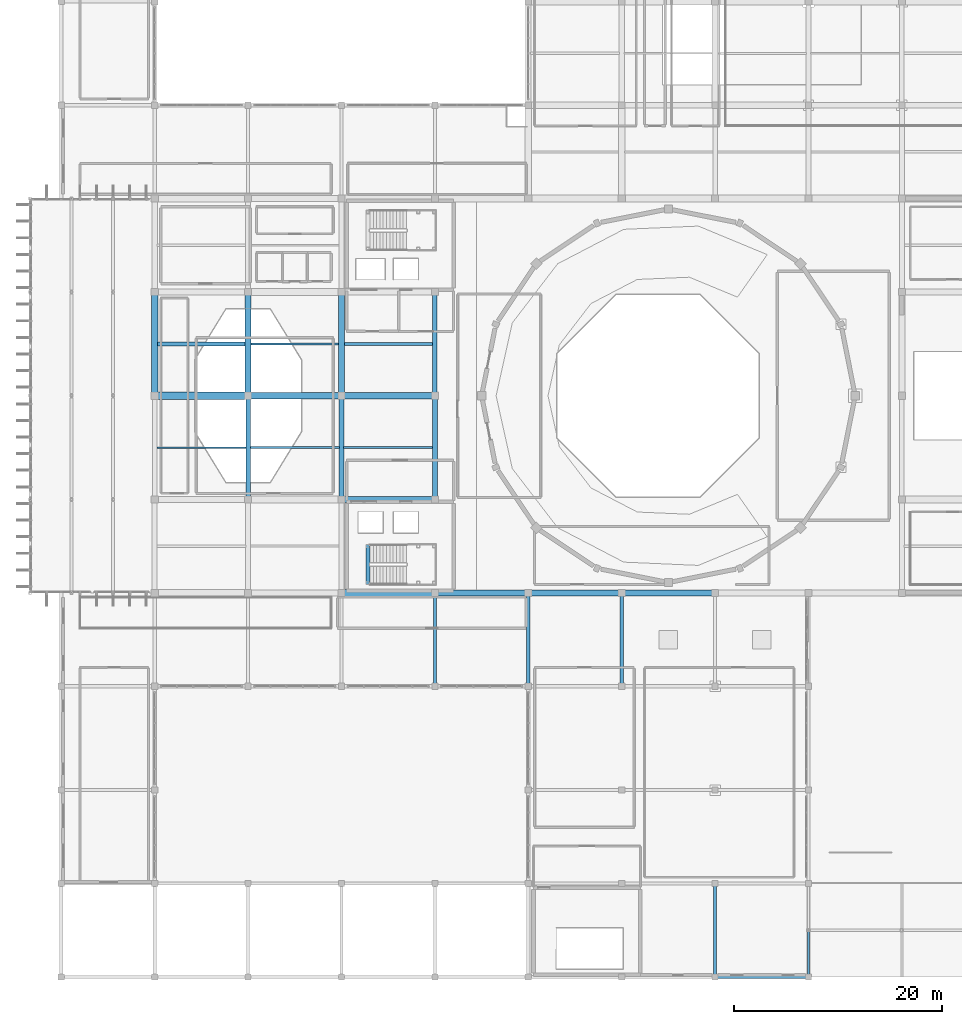
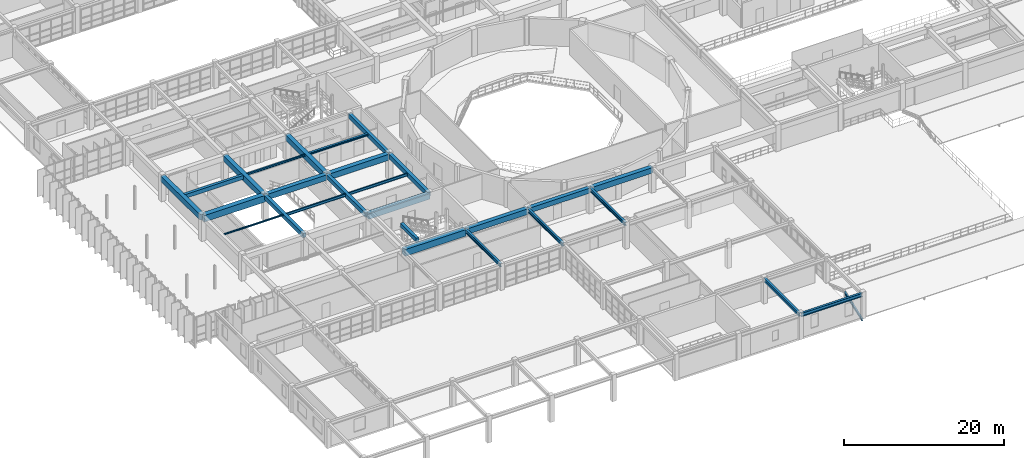
# One storey, part 33 of 110: 27 beams, 1 member.
"""IFC4 building model written with IfcOpenShell, lengths in metres."""

from ifc_helpers import new_model, si_unit, direction, frame, origin, origin_2d, place, context, subcontext, project, spatial, rectangle, i_section, extrude, material, material_profile, profile_set, type_object, element, save


model = new_model("IFC4")

# Units and contexts
model_context = context("Model", 3, precision=1e-05, world=origin(), true_north=direction((0.0, 1.0)))
body_context = subcontext(model_context, "Body", "Model", "MODEL_VIEW")
ifc_project = project(units=[si_unit("LENGTHUNIT", "METRE"), si_unit("AREAUNIT", "SQUARE_METRE"), si_unit("VOLUMEUNIT", "CUBIC_METRE"), si_unit("PLANEANGLEUNIT", "RADIAN"), si_unit("MASSUNIT", "GRAM", prefix="KILO")], contexts=[model_context])

# Site, building, storey
site_placement = place(None, origin())
site = spatial("IfcSite", under=ifc_project, at=site_placement, CompositionType="ELEMENT")
building_placement = place(site_placement, origin())
building = spatial("IfcBuilding", under=site, at=building_placement, Name="Miravela Opera House", CompositionType="ELEMENT")
storey_placement = place(building_placement, frame((0.0, 0.0, 13.60009765625)))
storey = spatial("IfcBuildingStorey", under=building, at=storey_placement, Name="L03", CompositionType="ELEMENT", Elevation=13.60009765625)

# Beams
ifc_material_1 = material(Name="Concrete C35/45", Category="concrete")
ifc_material_profile_1 = material_profile(ifc_material_1, rectangle(XDim=0.39990234375, YDim=0.60009765625, at=origin_2d()), Name="RC-BM-400X600")
ifc_profile_set_1 = profile_set([ifc_material_profile_1])
beam_type_1 = type_object("IfcBeamType", Name="STR-BM-RC400X600", PredefinedType="JOIST", material=ifc_profile_set_1)
beam_1_placement = place(storey_placement, frame((27.284912109375, 61.0, 3.539794921875), z_axis=(1.0, 0.0, 0.0), x_axis=(0.0, 1.0, 0.0)))
element("IfcBeam", 1, at=beam_1_placement, inside=storey, type_object=beam_type_1, Name="Secondary Floor Joist L03 4-5/G-H", PredefinedType="JOIST", context=body_context, shape_type="SweptSolid", body=[
    extrude(rectangle(XDim=0.39990234375, YDim=0.60009765625, at=origin_2d()), origin(), (0.0, 0.0, 1.0), 8.43017578125),
])
beam_2_placement = place(storey_placement, frame((47.5400390625, 37.800048828125, 3.77978515625), z_axis=(0.0, 1.0, 0.0), x_axis=(-1.0, 0.0, 0.0)))
element("IfcBeam", 2, at=beam_2_placement, inside=storey, type_object=beam_type_1, Name="Stair K2 Opening Header Trimmer Beam 04", PredefinedType="JOIST", context=body_context, shape_type="SweptSolid", body=[
    extrude(rectangle(XDim=0.39990234375, YDim=0.60009765625, at=origin_2d()), origin(), (0.0, 0.0, 1.0), 3.8798828125),
])
ifc_material_profile_2 = material_profile(ifc_material_1, rectangle(XDim=0.449951171875, YDim=0.64990234375, at=origin_2d()), Name="RC-BM-450X650")
ifc_profile_set_2 = profile_set([ifc_material_profile_2])
beam_type_2 = type_object("IfcBeamType", Name="STR-BM-RC450X650", PredefinedType="BEAM", material=ifc_profile_set_2)
for number, where, z_axis, x_axis, name in (
    (3, (36.0, 46.080078125, 3.514892578125), (0.0, 1.0, 0.0), (-1.0, 0.0, 0.0), "Floor Girder L03 5/F-G"),
    (4, (45.0, 46.080078125, 3.514892578125), (0.0, 1.0, 0.0), (-1.0, 0.0, 0.0), "Floor Girder L03 6/F-G"),
    (5, (54.0, 56.080078125, 3.514892578125), (0.0, 1.0, 0.0), (-1.0, 0.0, 0.0), "Floor Girder L03 7/G-H"),
):
    element("IfcBeam", number, at=place(storey_placement, frame(where, z_axis=z_axis, x_axis=x_axis)), inside=storey, type_object=beam_type_2, Name=name, PredefinedType="BEAM", context=body_context, shape_type="SweptSolid", body=[
        extrude(rectangle(XDim=0.449951171875, YDim=0.64990234375, at=origin_2d()), origin(), (0.0, 0.0, 1.0), 9.83984375),
    ])
ifc_material_profile_3 = material_profile(ifc_material_1, rectangle(XDim=0.47998046875, YDim=0.679931640625, at=origin_2d()), Name="RC-BM-480X680")
ifc_profile_set_3 = profile_set([ifc_material_profile_3])
beam_type_3 = type_object("IfcBeamType", Name="STR-BM-RC480X680", PredefinedType="BEAM", material=ifc_profile_set_3)
beam_3_placement = place(storey_placement, frame((54.0, 46.080078125, 3.5), z_axis=(0.0, 1.0, 0.0), x_axis=(-1.0, 0.0, 0.0)))
element("IfcBeam", 6, at=beam_3_placement, inside=storey, type_object=beam_type_3, Name="Floor Girder L03 7/F-G", PredefinedType="BEAM", context=body_context, shape_type="SweptSolid", body=[
    extrude(rectangle(XDim=0.47998046875, YDim=0.679931640625, at=origin_2d()), origin(), (0.0, 0.0, 1.0), 9.83984375),
])
ifc_material_profile_4 = material_profile(ifc_material_1, rectangle(XDim=0.550048828125, YDim=0.75, at=origin_2d()), Name="RC-BM-550X750")
ifc_profile_set_4 = profile_set([ifc_material_profile_4])
beam_type_4 = type_object("IfcBeamType", Name="STR-BM-RC550X750", PredefinedType="BEAM", material=ifc_profile_set_4)
beam_4_placement = place(storey_placement, frame((63.080078125, 37.0, 3.46484375), z_axis=(1.0, 0.0, 0.0), x_axis=(0.0, 1.0, 0.0)))
element("IfcBeam", 7, at=beam_4_placement, inside=storey, type_object=beam_type_4, Name="Floor Girder L03 8-9/E", PredefinedType="BEAM", context=body_context, shape_type="SweptSolid", body=[
    extrude(rectangle(XDim=0.550048828125, YDim=0.75, at=origin_2d()), origin(), (0.0, 0.0, 1.0), 8.83984375),
])
ifc_material_2 = material(Name="Concrete C40/50", Category="concrete")
ifc_material_profile_5 = material_profile(ifc_material_2, rectangle(XDim=0.60009765625, YDim=0.85009765625, at=origin_2d()), Name="RC-BM-600X850")
ifc_profile_set_5 = profile_set([ifc_material_profile_5])
beam_type_5 = type_object("IfcBeamType", Name="STR-BM-RC600X850", PredefinedType="BEAM", material=ifc_profile_set_5)
for number, where, z_axis, x_axis, name in (
    (8, (36.080078125, 56.0, 3.414794921875), (1.0, 0.0, 0.0), (0.0, 1.0, 0.0), "Floor Girder L03 5-6/G"),
    (9, (45.080078125, 46.0, 3.414794921875), (1.0, 0.0, 0.0), (0.0, 1.0, 0.0), "Floor Girder L03 6-7/F"),
    (10, (54.080078125, 37.0, 3.414794921875), (1.0, 0.0, 0.0), (0.0, 1.0, 0.0), "Floor Girder L03 7-8/E"),
    (11, (72.080078125, 37.0, 3.414794921875), (1.0, 0.0, 0.0), (0.0, 1.0, 0.0), "Floor Girder L03 9-10/E"),
):
    element("IfcBeam", number, at=place(storey_placement, frame(where, z_axis=z_axis, x_axis=x_axis)), inside=storey, type_object=beam_type_5, Name=name, PredefinedType="BEAM", context=body_context, shape_type="SweptSolid", body=[
        extrude(rectangle(XDim=0.60009765625, YDim=0.85009765625, at=origin_2d()), origin(), (0.0, 0.0, 1.0), 8.83984375),
    ])
for number, where, z_axis, x_axis, name in (
    (12, (27.0, 56.080078125, 3.414794921875), (0.0, 1.0, 0.0), (-1.0, 0.0, 0.0), "Floor Girder L03 4/G-H"),
    (13, (36.0, 56.080078125, 3.414794921875), (0.0, 1.0, 0.0), (-1.0, 0.0, 0.0), "Floor Girder L03 5/G-H"),
    (14, (45.0, 56.080078125, 3.414794921875), (0.0, 1.0, 0.0), (-1.0, 0.0, 0.0), "Floor Girder L03 6/G-H"),
):
    element("IfcBeam", number, at=place(storey_placement, frame(where, z_axis=z_axis, x_axis=x_axis)), inside=storey, type_object=beam_type_5, Name=name, PredefinedType="BEAM", context=body_context, shape_type="SweptSolid", body=[
        extrude(rectangle(XDim=0.60009765625, YDim=0.85009765625, at=origin_2d()), origin(), (0.0, 0.0, 1.0), 9.83984375),
    ])
ifc_material_profile_6 = material_profile(ifc_material_2, rectangle(XDim=0.64990234375, YDim=0.89990234375, at=origin_2d()), Name="RC-BM-650X900")
ifc_profile_set_6 = profile_set([ifc_material_profile_6])
beam_type_6 = type_object("IfcBeamType", Name="STR-BM-RC650X900", PredefinedType="BEAM", material=ifc_profile_set_6)
beam_5_placement = place(storey_placement, frame((45.080078125, 56.0, 3.389892578125), z_axis=(1.0, 0.0, 0.0), x_axis=(0.0, 1.0, 0.0)))
element("IfcBeam", 15, at=beam_5_placement, inside=storey, type_object=beam_type_6, Name="Floor Girder L03 6-7/G", PredefinedType="BEAM", context=body_context, shape_type="SweptSolid", body=[
    extrude(rectangle(XDim=0.64990234375, YDim=0.89990234375, at=origin_2d()), origin(), (0.0, 0.0, 1.0), 8.83984375),
])
ifc_material_profile_7 = material_profile(ifc_material_2, rectangle(XDim=0.699951171875, YDim=1.0, at=origin_2d()), Name="RC-BM-700X1000")
ifc_profile_set_7 = profile_set([ifc_material_profile_7])
beam_type_7 = type_object("IfcBeamType", Name="STR-BM-RC700X1000", PredefinedType="BEAM", material=ifc_profile_set_7)
for number, where, z_axis, x_axis, name in (
    (16, (27.080078125, 56.0, 3.33984375), (1.0, 0.0, 0.0), (0.0, 1.0, 0.0), "Floor Girder L03 4-5/G"),
    (17, (45.080078125, 37.0, 3.33984375), (1.0, 0.0, 0.0), (0.0, 1.0, 0.0), "Floor Girder L03 6-7/E"),
):
    element("IfcBeam", number, at=place(storey_placement, frame(where, z_axis=z_axis, x_axis=x_axis)), inside=storey, type_object=beam_type_7, Name=name, PredefinedType="BEAM", context=body_context, shape_type="SweptSolid", body=[
        extrude(rectangle(XDim=0.699951171875, YDim=1.0, at=origin_2d()), origin(), (0.0, 0.0, 1.0), 8.83984375),
    ])
ifc_material_3 = material(Name="Structural steel ASTM A992 Gr. 50", Category="steel")
ifc_material_profile_8 = material_profile(ifc_material_3, i_section(OverallWidth=0.1650390625, OverallDepth=0.200927734375, WebThickness=0.006103515625, FlangeThickness=0.01025390625, FilletRadius=0.010009765625, at=origin_2d()), Name="W200X36")
ifc_profile_set_8 = profile_set([ifc_material_profile_8])
beam_type_8 = type_object("IfcBeamType", Name="STR-BM-W200X36", PredefinedType="LINTEL", material=ifc_profile_set_8)
beam_6_placement = place(storey_placement, frame((27.2099609375, 51.0, 3.739501953125), z_axis=(1.0, 0.0, 0.0), x_axis=(0.0, 1.0, 0.0)))
element("IfcBeam", 18, at=beam_6_placement, inside=storey, type_object=beam_type_8, Name="Secondary Floor Joist L03 4-5/F-G", PredefinedType="LINTEL", context=body_context, shape_type="SweptSolid", body=[
    extrude(i_section(OverallWidth=0.1650390625, OverallDepth=0.200927734375, WebThickness=0.006103515625, FlangeThickness=0.01025390625, FilletRadius=0.010009765625, at=origin_2d()), origin(), (0.0, 0.0, 1.0), 8.580078125),
])
ifc_material_profile_9 = material_profile(ifc_material_3, i_section(OverallWidth=0.202880859375, OverallDepth=0.302978515625, WebThickness=0.007568359375, FlangeThickness=0.01318359375, FilletRadius=0.012939453125, at=origin_2d()), Name="W310X60")
ifc_profile_set_9 = profile_set([ifc_material_profile_9])
beam_type_9 = type_object("IfcBeamType", Name="STR-BM-W310X60", PredefinedType="JOIST", material=ifc_profile_set_9)
beam_7_placement = place(storey_placement, frame((36.284912109375, 61.0, 3.6884765625), z_axis=(1.0, 0.0, 0.0), x_axis=(0.0, 1.0, 0.0)))
element("IfcBeam", 19, at=beam_7_placement, inside=storey, type_object=beam_type_9, Name="Secondary Floor Joist L03 5-6/G-H", PredefinedType="JOIST", context=body_context, shape_type="SweptSolid", body=[
    extrude(i_section(OverallWidth=0.202880859375, OverallDepth=0.302978515625, WebThickness=0.007568359375, FlangeThickness=0.01318359375, FilletRadius=0.012939453125, at=origin_2d()), origin(), (0.0, 0.0, 1.0), 8.43017578125),
])
ifc_material_profile_10 = material_profile(ifc_material_3, i_section(OverallWidth=0.304931640625, OverallDepth=0.30810546875, WebThickness=0.010009765625, FlangeThickness=0.015380859375, FilletRadius=0.013916015625, at=origin_2d()), Name="W310X97")
ifc_profile_set_10 = profile_set([ifc_material_profile_10])
beam_type_10 = type_object("IfcBeamType", Name="STR-BM-W310X97", PredefinedType="JOIST", material=ifc_profile_set_10)
beam_8_placement = place(storey_placement, frame((45.284912109375, 61.0, 3.685791015625), z_axis=(1.0, 0.0, 0.0), x_axis=(0.0, 1.0, 0.0)))
element("IfcBeam", 20, at=beam_8_placement, inside=storey, type_object=beam_type_10, Name="Secondary Floor Joist L03 6-7/G-H", PredefinedType="JOIST", context=body_context, shape_type="SweptSolid", body=[
    extrude(i_section(OverallWidth=0.304931640625, OverallDepth=0.30810546875, WebThickness=0.010009765625, FlangeThickness=0.015380859375, FilletRadius=0.013916015625, at=origin_2d()), origin(), (0.0, 0.0, 1.0), 8.505126953125),
])
ifc_material_profile_11 = material_profile(ifc_material_3, i_section(OverallWidth=0.177978515625, OverallDepth=0.406982421875, WebThickness=0.0078125, FlangeThickness=0.0126953125, FilletRadius=0.012939453125, at=origin_2d()), Name="W410X60")
ifc_profile_set_11 = profile_set([ifc_material_profile_11])
beam_type_11 = type_object("IfcBeamType", Name="STR-BM-W410X60", PredefinedType="JOIST", material=ifc_profile_set_11)
beam_9_placement = place(storey_placement, frame((45.2099609375, 51.0, 3.636474609375), z_axis=(1.0, 0.0, 0.0), x_axis=(0.0, 1.0, 0.0)))
element("IfcBeam", 21, at=beam_9_placement, inside=storey, type_object=beam_type_11, Name="Secondary Floor Joist L03 6-7/F-G", PredefinedType="JOIST", context=body_context, shape_type="SweptSolid", body=[
    extrude(i_section(OverallWidth=0.177978515625, OverallDepth=0.406982421875, WebThickness=0.0078125, FlangeThickness=0.0126953125, FilletRadius=0.012939453125, at=origin_2d()), origin(), (0.0, 0.0, 1.0), 8.56494140625),
])
ifc_material_profile_12 = material_profile(ifc_material_3, i_section(OverallWidth=0.180908203125, OverallDepth=0.4169921875, WebThickness=0.010986328125, FlangeThickness=0.018310546875, FilletRadius=0.013916015625, at=origin_2d()), Name="W410X85")
ifc_profile_set_12 = profile_set([ifc_material_profile_12])
beam_type_12 = type_object("IfcBeamType", Name="STR-BM-W410X85", PredefinedType="JOIST", material=ifc_profile_set_12)
beam_10_placement = place(storey_placement, frame((36.2099609375, 51.0, 3.63134765625), z_axis=(1.0, 0.0, 0.0), x_axis=(0.0, 1.0, 0.0)))
element("IfcBeam", 22, at=beam_10_placement, inside=storey, type_object=beam_type_12, Name="Secondary Floor Joist L03 5-6/F-G", PredefinedType="JOIST", context=body_context, shape_type="SweptSolid", body=[
    extrude(i_section(OverallWidth=0.180908203125, OverallDepth=0.4169921875, WebThickness=0.010986328125, FlangeThickness=0.018310546875, FilletRadius=0.013916015625, at=origin_2d()), origin(), (0.0, 0.0, 1.0), 8.580078125),
])
ifc_material_profile_13 = material_profile(ifc_material_3, i_section(OverallWidth=0.31201171875, OverallDepth=0.54296875, WebThickness=0.0126953125, FlangeThickness=0.020263671875, FilletRadius=0.01611328125, at=origin_2d()), Name="W530X150")
ifc_profile_set_13 = profile_set([ifc_material_profile_13])
beam_type_13 = type_object("IfcBeamType", Name="STR-BM-W530X150", PredefinedType="BEAM", material=ifc_profile_set_13)
for number, where, z_axis, x_axis, name in (
    (23, (54.0, 28.080078125, 3.568359375), (0.0, 1.0, 0.0), (-1.0, 0.0, 0.0), "Roof King-Post Transverse Tie Girder ROOF-V4-WEST-N T4.1"),
    (24, (63.0, 28.080078125, 3.568359375), (0.0, 1.0, 0.0), (-1.0, 0.0, 0.0), "Roof King-Post Transverse Tie Girder ROOF-V4-WEST-N T5.1"),
    (25, (72.0, 28.080078125, 3.568359375), (0.0, 1.0, 0.0), (-1.0, 0.0, 0.0), "Roof King-Post Transverse Tie Girder ROOF-V4-WEST-N T6.1"),
    (26, (81.080078125, 0.0, 3.568359375), (1.0, 0.0, 0.0), (0.0, 1.0, 0.0), "Roof Eave Girder ROOF-V4-WEST-S S8"),
    (27, (81.0, 0.080078125, 3.568359375), (0.0, 1.0, 0.0), (-1.0, 0.0, 0.0), "Roof King-Post Transverse Tie Girder ROOF-V4-WEST-S T7.1"),
):
    element("IfcBeam", number, at=place(storey_placement, frame(where, z_axis=z_axis, x_axis=x_axis)), inside=storey, type_object=beam_type_13, Name=name, PredefinedType="BEAM", context=body_context, shape_type="SweptSolid", body=[
        extrude(i_section(OverallWidth=0.31201171875, OverallDepth=0.54296875, WebThickness=0.0126953125, FlangeThickness=0.020263671875, FilletRadius=0.01611328125, at=origin_2d()), origin(), (0.0, 0.0, 1.0), 8.83984375),
    ])

# Member
ifc_material_profile_14 = material_profile(ifc_material_3, i_section(OverallWidth=0.2041015625, OverallDepth=0.35009765625, WebThickness=0.008544921875, FlangeThickness=0.01513671875, FilletRadius=0.013916015625, at=origin_2d()), Name="W360X72")
ifc_profile_set_14 = profile_set([ifc_material_profile_14])
member_type = type_object("IfcMemberType", Name="STR-MEM-RAFTER-1", PredefinedType="RAFTER", material=ifc_profile_set_14)
member_placement = place(storey_placement, frame((90.0, 0.050048828125, -0.400146484375), z_axis=(0.0, 0.943687918104, 0.3308369889), x_axis=(-1.0, 0.0, 0.0)))
element("IfcMember", 28, at=member_placement, inside=storey, type_object=member_type, Name="Pitched Roof Rafter ROOF-V4-SE S0", PredefinedType="RAFTER", context=body_context, shape_type="SweptSolid", body=[
    extrude(i_section(OverallWidth=0.2041015625, OverallDepth=0.35009765625, WebThickness=0.008544921875, FlangeThickness=0.01513671875, FilletRadius=0.013916015625, at=origin_2d()), origin(), (0.0, 0.0, 1.0), 4.715576171875),
])

save(model, "model.ifc")
